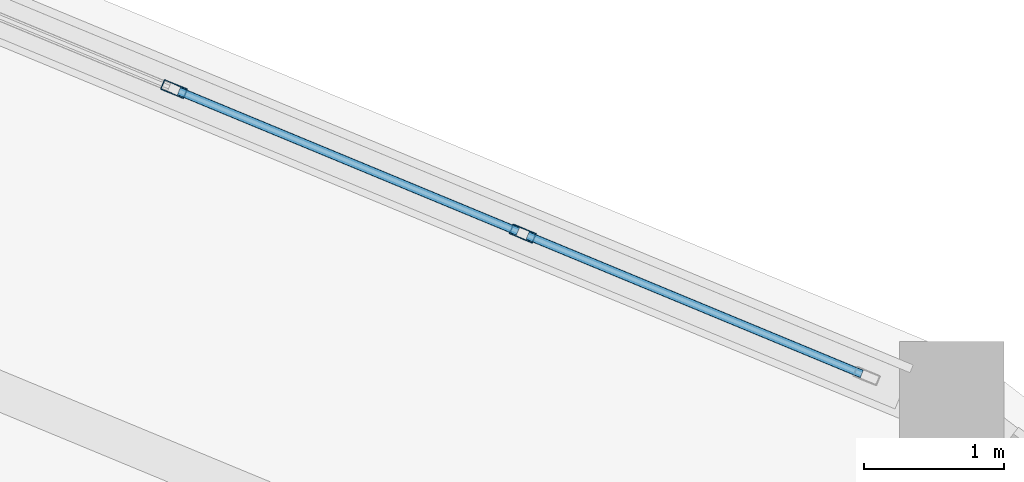
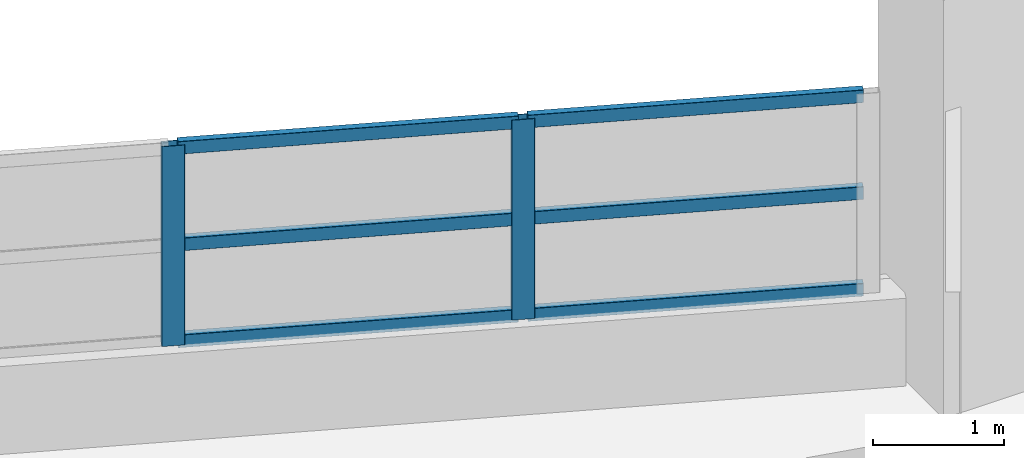
# One storey, part 59 of 121: 8 members, 1 element without a shape of its own.
"""IFC4 building model written with IfcOpenShell, lengths in metres."""

from ifc_helpers import new_model, si_unit, direction, frame, origin, origin_2d, place, context, subcontext, project, spatial, hollow_rectangle, extrude, material, layer, layer_set, material_profile, profile_set, type_object, element, aggregate, save


model = new_model("IFC4")

# Units and contexts
model_context = context("Model", 3, precision=1e-05, world=origin(), true_north=direction((0.0, 1.0)))
body_context = subcontext(model_context, "Body", "Model", "MODEL_VIEW")
ifc_project = project(units=[si_unit("LENGTHUNIT", "METRE"), si_unit("AREAUNIT", "SQUARE_METRE"), si_unit("VOLUMEUNIT", "CUBIC_METRE"), si_unit("PLANEANGLEUNIT", "RADIAN"), si_unit("MASSUNIT", "GRAM", prefix="KILO")], contexts=[model_context])

# Site, building, storey
site_placement = place(None, origin())
site = spatial("IfcSite", under=ifc_project, at=site_placement, CompositionType="ELEMENT")
building_placement = place(site_placement, origin())
building = spatial("IfcBuilding", under=site, at=building_placement, Name="Vespera Passage Community Centre", CompositionType="ELEMENT")
storey_placement = place(building_placement, frame((0.0, 0.0, 8.699951171875)))
storey = spatial("IfcBuildingStorey", under=building, at=storey_placement, Name="L02", CompositionType="ELEMENT", Elevation=8.699951171875)

# Curtain wall, members
ifc_material_1 = material(Name="Anodized aluminium 6063-T6", Category="aluminium")
ifc_layer = layer(ifc_material_1, 0.159912109375)
ifc_layer_set = layer_set([ifc_layer], Name="Anodized aluminium 6063-T6")
curtain_wall_type = type_object("IfcCurtainWallType", Name="CW-24E", PredefinedType="NOTDEFINED", material=ifc_layer_set)
curtain_wall_placement = place(storey_placement, origin())
curtain_wall = element("IfcCurtainWall", 1, at=curtain_wall_placement, inside=storey, type_object=curtain_wall_type, Name="V4 L02 Outer Ribbon Curtain Wall 4", PredefinedType="NOTDEFINED")
ifc_material_2 = material(Name="Anodized aluminium 6063-T6", Category="aluminium")
ifc_material_profile_1 = material_profile(ifc_material_2, hollow_rectangle(XDim=0.074951171875, YDim=0.179931640625, WallThickness=0.0048828125, InnerFilletRadius=0.00244140625, OuterFilletRadius=0.0048828125, at=origin_2d()), Name="ALU180X75X5")
ifc_profile_set_1 = profile_set([ifc_material_profile_1], Name="Anodized aluminium 6063-T6")
member_type_1 = type_object("IfcMemberType", Name="MB-CWM-180E", PredefinedType="MULLION", material=ifc_profile_set_1)
member_1_placement = place(storey_placement, frame((95.49072265625, 107.7265625, 0.820068359375), z_axis=(0.0, 0.0, 1.0), x_axis=(0.382682936255, 0.923879738007, 0.0)))
member_1 = element("IfcMember", 2, at=member_1_placement, type_object=member_type_1, Name="CW-24E mullion 3", PredefinedType="MULLION", context=body_context, shape_type="SweptSolid", body=[
    extrude(hollow_rectangle(XDim=0.074951171875, YDim=0.179931640625, WallThickness=0.0048828125, InnerFilletRadius=0.00244140625, OuterFilletRadius=0.0048828125, at=origin_2d()), origin(), (0.0, 0.0, 1.0), 1.865478515625),
])
member_2_placement = place(storey_placement, frame((97.983642578125, 106.69384765625, 0.820068359375), z_axis=(0.0, 0.0, 1.0), x_axis=(0.382682936255, 0.923879738007, 0.0)))
member_2 = element("IfcMember", 3, at=member_2_placement, type_object=member_type_1, Name="CW-24E mullion 4", PredefinedType="MULLION", context=body_context, shape_type="SweptSolid", body=[
    extrude(hollow_rectangle(XDim=0.074951171875, YDim=0.179931640625, WallThickness=0.0048828125, InnerFilletRadius=0.00244140625, OuterFilletRadius=0.0048828125, at=origin_2d()), origin(), (0.0, 0.0, 1.0), 1.865478515625),
])
ifc_material_3 = material(Name="Anodized aluminium 6063-T6", Category="aluminium")
ifc_material_profile_2 = material_profile(ifc_material_3, hollow_rectangle(XDim=0.06005859375, YDim=0.1201171875, WallThickness=0.00390625, InnerFilletRadius=0.001953125, OuterFilletRadius=0.00390625, at=origin_2d()), Name="ALU120X60X4")
ifc_profile_set_2 = profile_set([ifc_material_profile_2], Name="Anodized aluminium 6063-T6")
member_type_2 = type_object("IfcMemberType", Name="MB-CWT-120E", PredefinedType="USERDEFINED", material=ifc_profile_set_2)
member_3_placement = place(storey_placement, frame((95.525390625, 107.712158203125, 0.85009765625), z_axis=(0.92387617736, -0.382691532316, 0.0), x_axis=(0.382691532316, 0.92387617736, 0.0)))
member_3 = element("IfcMember", 4, at=member_3_placement, type_object=member_type_2, Name="CW-24E transom 3.1", ObjectType="TRANSOM", PredefinedType="USERDEFINED", context=body_context, shape_type="SweptSolid", body=[
    extrude(hollow_rectangle(XDim=0.06005859375, YDim=0.1201171875, WallThickness=0.00390625, InnerFilletRadius=0.001953125, OuterFilletRadius=0.00390625, at=origin_2d()), origin(), (0.0, 0.0, 1.0), 2.623291015625),
])
member_4_placement = place(storey_placement, frame((95.525390625, 107.712158203125, 1.7529296875), z_axis=(0.92387617736, -0.382691532316, 0.0), x_axis=(0.382691532316, 0.92387617736, 0.0)))
member_4 = element("IfcMember", 5, at=member_4_placement, type_object=member_type_2, Name="CW-24E transom 3.2", ObjectType="TRANSOM", PredefinedType="USERDEFINED", context=body_context, shape_type="SweptSolid", body=[
    extrude(hollow_rectangle(XDim=0.06005859375, YDim=0.1201171875, WallThickness=0.00390625, InnerFilletRadius=0.001953125, OuterFilletRadius=0.00390625, at=origin_2d()), origin(), (0.0, 0.0, 1.0), 2.623291015625),
])
member_5_placement = place(storey_placement, frame((95.525390625, 107.712158203125, 2.65576171875), z_axis=(0.92387617736, -0.382691532316, 0.0), x_axis=(0.382691532316, 0.92387617736, 0.0)))
member_5 = element("IfcMember", 6, at=member_5_placement, type_object=member_type_2, Name="CW-24E transom 3.3", ObjectType="TRANSOM", PredefinedType="USERDEFINED", context=body_context, shape_type="SweptSolid", body=[
    extrude(hollow_rectangle(XDim=0.06005859375, YDim=0.1201171875, WallThickness=0.00390625, InnerFilletRadius=0.001953125, OuterFilletRadius=0.00390625, at=origin_2d()), origin(), (0.0, 0.0, 1.0), 2.623291015625),
])
member_6_placement = place(storey_placement, frame((98.018310546875, 106.6796875, 0.85009765625), z_axis=(0.923882193286, -0.382677008624, 0.0), x_axis=(0.382677008624, 0.923882193286, 0.0)))
member_6 = element("IfcMember", 7, at=member_6_placement, type_object=member_type_2, Name="CW-24E transom 4.1", ObjectType="TRANSOM", PredefinedType="USERDEFINED", context=body_context, shape_type="SweptSolid", body=[
    extrude(hollow_rectangle(XDim=0.06005859375, YDim=0.1201171875, WallThickness=0.00390625, InnerFilletRadius=0.001953125, OuterFilletRadius=0.00390625, at=origin_2d()), origin(), (0.0, 0.0, 1.0), 2.585693359375),
])
member_7_placement = place(storey_placement, frame((98.018310546875, 106.6796875, 1.7529296875), z_axis=(0.923882193286, -0.382677008624, 0.0), x_axis=(0.382677008624, 0.923882193286, 0.0)))
member_7 = element("IfcMember", 8, at=member_7_placement, type_object=member_type_2, Name="CW-24E transom 4.2", ObjectType="TRANSOM", PredefinedType="USERDEFINED", context=body_context, shape_type="SweptSolid", body=[
    extrude(hollow_rectangle(XDim=0.06005859375, YDim=0.1201171875, WallThickness=0.00390625, InnerFilletRadius=0.001953125, OuterFilletRadius=0.00390625, at=origin_2d()), origin(), (0.0, 0.0, 1.0), 2.585693359375),
])
member_8_placement = place(storey_placement, frame((98.018310546875, 106.6796875, 2.65576171875), z_axis=(0.923882193286, -0.382677008624, 0.0), x_axis=(0.382677008624, 0.923882193286, 0.0)))
member_8 = element("IfcMember", 9, at=member_8_placement, type_object=member_type_2, Name="CW-24E transom 4.3", ObjectType="TRANSOM", PredefinedType="USERDEFINED", context=body_context, shape_type="SweptSolid", body=[
    extrude(hollow_rectangle(XDim=0.06005859375, YDim=0.1201171875, WallThickness=0.00390625, InnerFilletRadius=0.001953125, OuterFilletRadius=0.00390625, at=origin_2d()), origin(), (0.0, 0.0, 1.0), 2.585693359375),
])
aggregate(curtain_wall, [member_1, member_2, member_3, member_4, member_5, member_6, member_7, member_8])

save(model, "model.ifc")
